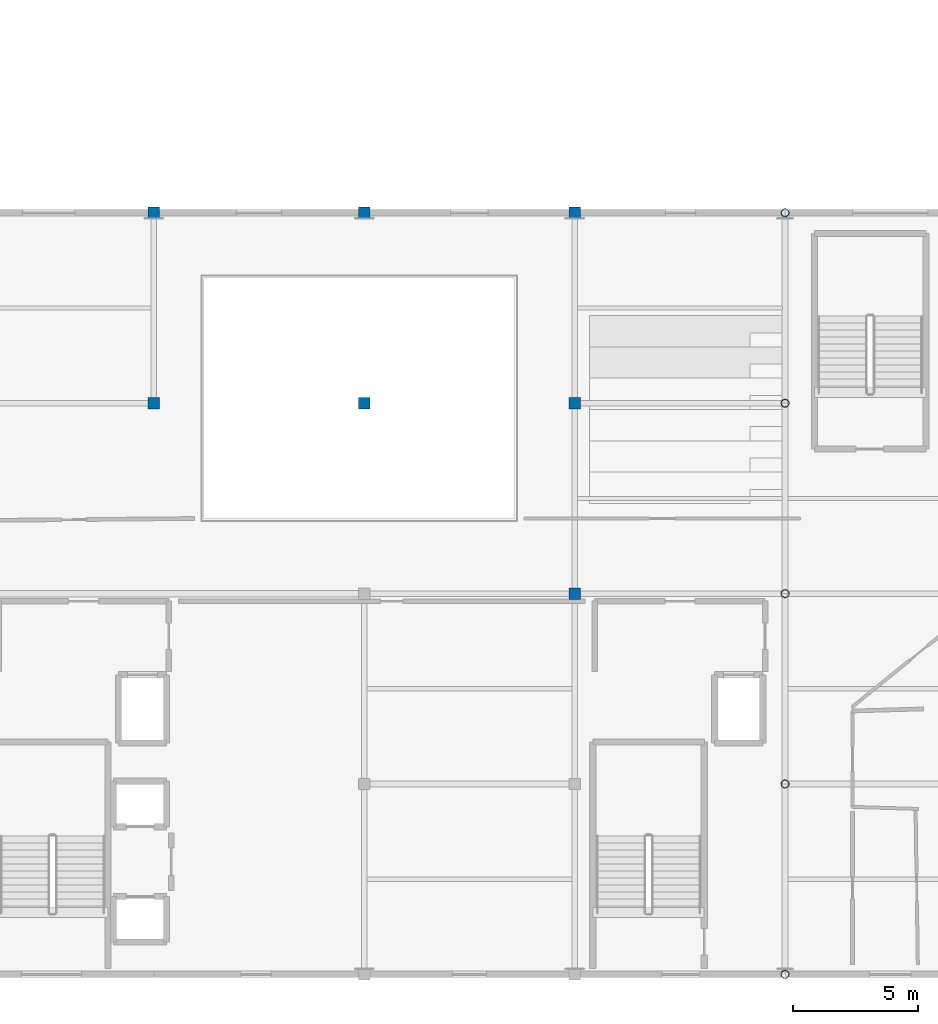
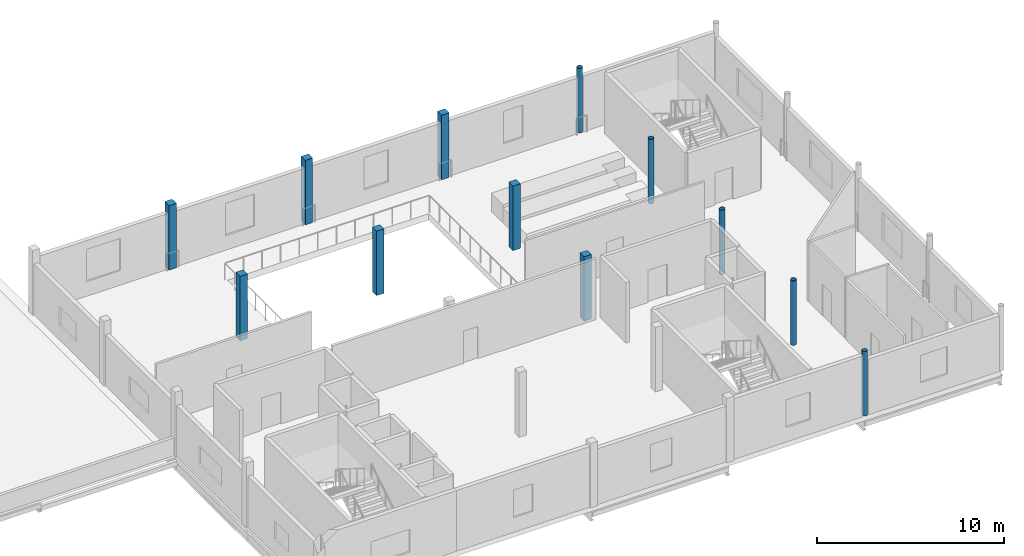
# One storey, part 2 of 13: 12 columns.
"""IFC4 building model written with IfcOpenShell, lengths in metres."""

from ifc_helpers import new_model, si_unit, direction, frame, origin, origin_2d, place, context, subcontext, project, spatial, rectangle, hollow_circle, extrude, material, material_profile, profile_set, type_object, element, save


model = new_model("IFC4")

# Units and contexts
model_context = context("Model", 3, precision=1e-05, world=origin(), true_north=direction((0.0, 1.0)))
body_context = subcontext(model_context, "Body", "Model", "MODEL_VIEW")
ifc_project = project(units=[si_unit("LENGTHUNIT", "METRE"), si_unit("AREAUNIT", "SQUARE_METRE"), si_unit("VOLUMEUNIT", "CUBIC_METRE"), si_unit("PLANEANGLEUNIT", "RADIAN"), si_unit("MASSUNIT", "GRAM", prefix="KILO")], contexts=[model_context])

# Site, building, storey
site_placement = place(None, origin())
site = spatial("IfcSite", under=ifc_project, at=site_placement, CompositionType="ELEMENT")
building_placement = place(site_placement, origin())
building = spatial("IfcBuilding", under=site, at=building_placement, Name="Zuvorla Pavilion Media Centre", CompositionType="ELEMENT")
storey_placement = place(building_placement, frame((0.0, 0.0, 22.199951171875)))
storey = spatial("IfcBuildingStorey", under=building, at=storey_placement, Name="L05", CompositionType="ELEMENT", Elevation=22.199951171875)

# Columns
ifc_material_1 = material(Name="Steel S355", Category="steel")
ifc_material_profile_1 = material_profile(ifc_material_1, hollow_circle(Radius=0.161865234375, WallThickness=0.01611328125, at=origin_2d()), Name="CHS 323.9x16")
ifc_profile_set_1 = profile_set([ifc_material_profile_1], Name="Steel S355")
column_type_1 = type_object("IfcColumnType", Name="COL-CHS324", PredefinedType="COLUMN", material=ifc_profile_set_1)
for number, where, z_axis, x_axis, name in (
    (1, (100.39990234375, 6.0, 0.0), (0.0, 0.0, 1.0), (1.0, 0.0, 0.0), "L05 column C12 55"),
    (2, (100.39990234375, 13.60009765625, 0.0), (0.0, 0.0, 1.0), (1.0, 0.0, 0.0), "L05 column C12 153"),
    (3, (100.39990234375, 21.199951171875, 0.0), (0.0, 0.0, 1.0), (1.0, 0.0, 0.0), "L05 column C12 254"),
    (4, (100.39990234375, 28.800048828125, 0.0), (0.0, 0.0, 1.0), (1.0, 0.0, 0.0), "L05 column C12 349"),
    (5, (100.39990234375, 36.39990234375, 0.0), (0.0, 0.0, 1.0), (1.0, 0.0, 0.0), "L05 column C12 439"),
):
    element("IfcColumn", number, at=place(storey_placement, frame(where, z_axis=z_axis, x_axis=x_axis)), inside=storey, type_object=column_type_1, Name=name, PredefinedType="COLUMN", context=body_context, shape_type="SweptSolid", body=[
        extrude(hollow_circle(Radius=0.161865234375, WallThickness=0.01611328125, at=origin_2d()), origin(), (0.0, 0.0, 1.0), 4.199951171875),
    ])
ifc_material_2 = material(Name="Concrete C40/50", Category="concrete")
ifc_material_profile_2 = material_profile(ifc_material_2, rectangle(XDim=0.449951171875, YDim=0.449951171875, at=origin_2d()), Name="RC 450x450")
ifc_profile_set_2 = profile_set([ifc_material_profile_2], Name="Concrete C40/50")
column_type_2 = type_object("IfcColumnType", Name="COL-RC450", PredefinedType="COLUMN", material=ifc_profile_set_2)
for number, where, z_axis, x_axis, name in (
    (6, (92.0, 21.199951171875, 0.0), (0.0, 0.0, 1.0), (1.0, 0.0, 0.0), "L05 column C04 246"),
    (7, (75.199951171875, 28.800048828125, 0.0), (0.0, 0.0, 1.0), (1.0, 0.0, 0.0), "L05 column C04 325"),
    (8, (83.60009765625, 28.800048828125, 0.0), (0.0, 0.0, 1.0), (1.0, 0.0, 0.0), "L05 column C04 333"),
    (9, (92.0, 28.800048828125, 0.0), (0.0, 0.0, 1.0), (1.0, 0.0, 0.0), "L05 column C04 341"),
    (10, (75.199951171875, 36.39990234375, 0.0), (0.0, 0.0, 1.0), (1.0, 0.0, 0.0), "L05 column C04 415"),
    (11, (83.60009765625, 36.39990234375, 0.0), (0.0, 0.0, 1.0), (1.0, 0.0, 0.0), "L05 column C04 423"),
    (12, (92.0, 36.39990234375, 0.0), (0.0, 0.0, 1.0), (1.0, 0.0, 0.0), "L05 column C04 431"),
):
    element("IfcColumn", number, at=place(storey_placement, frame(where, z_axis=z_axis, x_axis=x_axis)), inside=storey, type_object=column_type_2, Name=name, PredefinedType="COLUMN", context=body_context, shape_type="SweptSolid", body=[
        extrude(rectangle(XDim=0.449951171875, YDim=0.449951171875, at=origin_2d()), origin(), (0.0, 0.0, 1.0), 4.199951171875),
    ])

save(model, "model.ifc")
